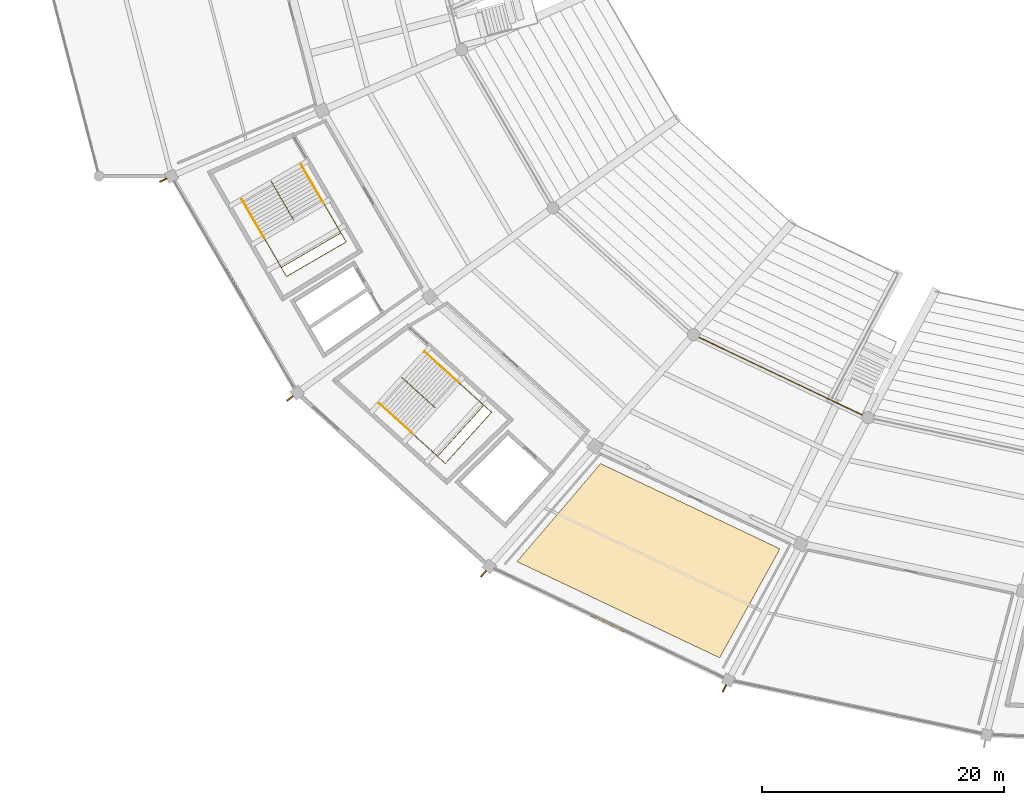
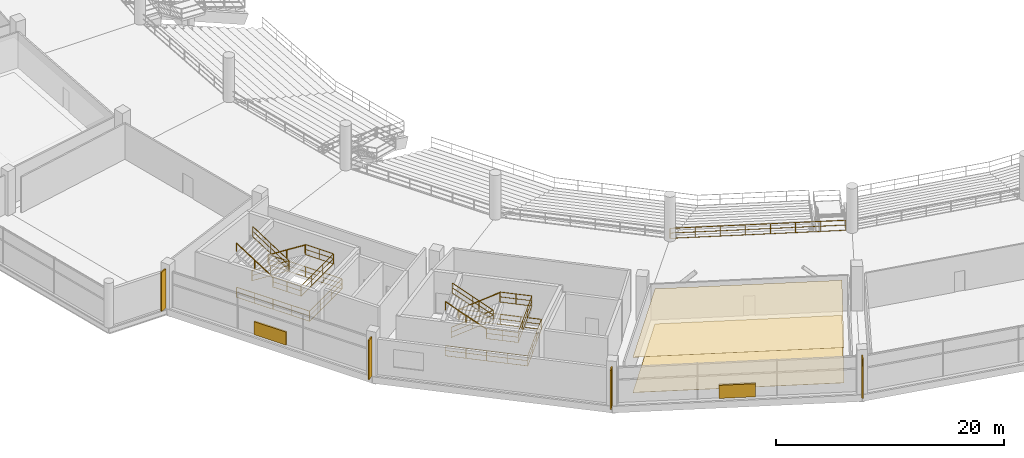
# One storey, part 142 of 156: 11 railings, 6 shading devices, 2 coverings.
"""IFC4 building model written with IfcOpenShell, lengths in metres."""

from ifc_helpers import new_model, si_unit, direction, frame, origin, origin_2d, place, context, subcontext, project, spatial, polyline, rectangle, outline, extrude, material, layer, layer_set, type_object, element, save


model = new_model("IFC4")

# Units and contexts
model_context = context("Model", 3, precision=1e-05, world=origin(), true_north=direction((0.0, 1.0)))
body_context = subcontext(model_context, "Body", "Model", "MODEL_VIEW")
ifc_project = project(units=[si_unit("LENGTHUNIT", "METRE"), si_unit("AREAUNIT", "SQUARE_METRE"), si_unit("VOLUMEUNIT", "CUBIC_METRE"), si_unit("PLANEANGLEUNIT", "RADIAN"), si_unit("MASSUNIT", "GRAM", prefix="KILO")], contexts=[model_context])

# Site, building, storey
site_placement = place(None, origin())
site = spatial("IfcSite", under=ifc_project, at=site_placement, CompositionType="ELEMENT")
building_placement = place(site_placement, origin())
building = spatial("IfcBuilding", under=site, at=building_placement, Name="Kazemori Nagisa Stadium", CompositionType="ELEMENT")
storey_placement = place(building_placement, frame((0.0, 0.0, 5.780029296875)))
storey = spatial("IfcBuildingStorey", under=building, at=storey_placement, Name="L01", CompositionType="ELEMENT", Elevation=5.780029296875)

# Coverings
ifc_material_1 = material(Name="Mineral-fibre acoustic board", Category="gypsum")
ifc_layer_1 = layer(ifc_material_1, 0.02001953125, Name="Mineral-fibre acoustic board", Category="gypsum")
ifc_layer_set_1 = layer_set([ifc_layer_1], Name="Mineral-fibre acoustic board")
covering_type_1 = type_object("IfcCoveringType", Name="Cov_CEIL", PredefinedType="CEILING", material=ifc_layer_set_1)
covering_1_placement = place(storey_placement, frame((0.0, 0.0, 3.77001953125)))
element("IfcCovering", 1, at=covering_1_placement, inside=storey, type_object=covering_type_1, Name="Acoustic ceiling L01-B19", PredefinedType="CEILING", context=body_context, shape_type="SweptSolid", body=[
    extrude(outline(polyline([(69.622802734375, 39.46240234375), (84.466064453125, 32.4091796875), (79.47265625, 23.39111328125), (62.705810546875, 31.3583984375), (69.622802734375, 39.46240234375)])), origin(), (0.0, 0.0, 1.0), 0.02001953125),
])
ifc_material_2 = material(Name="Porcelain stoneware tile", Category="masonry")
ifc_layer_2 = layer(ifc_material_2, 0.02490234375, Name="Porcelain stoneware tile", Category="masonry")
ifc_layer_set_2 = layer_set([ifc_layer_2], Name="Porcelain stoneware tile")
covering_type_2 = type_object("IfcCoveringType", Name="Cov_FLOOR", PredefinedType="FLOORING", material=ifc_layer_set_2)
covering_2_placement = place(storey_placement, origin())
element("IfcCovering", 2, at=covering_2_placement, inside=storey, type_object=covering_type_2, Name="Porcelain floor finish L01-B19", PredefinedType="FLOORING", context=body_context, shape_type="SweptSolid", body=[
    extrude(outline(polyline([(69.622802734375, 39.46240234375), (84.466064453125, 32.4091796875), (79.47265625, 23.39111328125), (62.705810546875, 31.3583984375), (69.622802734375, 39.46240234375)])), origin(), (0.0, 0.0, 1.0), 0.02490234375),
])

# Shading devices
ifc_material_3 = material(Name="Aluminium 6063-T5 anodised", Category="aluminium")
shading_device_type_1 = type_object("IfcShadingDeviceType", Name="Fin_FN01", PredefinedType="USERDEFINED", material=ifc_material_3)
for number, where, z_axis, x_axis, name in (
    (3, (33.434814453125, 62.9228515625, 0.0), (0.0, 0.0, 1.0), (-0.900968867905, -0.433883739113, 0.0), "Aerodynamic wave shading fin L01-17"),
    (4, (43.914306640625, 44.861572265625, 0.0), (0.0, 0.0, 1.0), (-0.781831482473, -0.623489801853, 0.0), "Aerodynamic wave shading fin L01-18"),
    (5, (59.931396484375, 30.350830078125, 0.0), (0.0, 0.0, 1.0), (-0.623489801853, -0.781831482473, 0.0), "Aerodynamic wave shading fin L01-19"),
    (6, (79.86767578125, 20.85546875, 0.0), (0.0, 0.0, 1.0), (-0.433883739113, -0.900968867905, 0.0), "Aerodynamic wave shading fin L01-20"),
):
    element("IfcShadingDevice", number, at=place(storey_placement, frame(where, z_axis=z_axis, x_axis=x_axis)), inside=storey, type_object=shading_device_type_1, Name=name, ObjectType="FIN", PredefinedType="USERDEFINED", context=body_context, shape_type="SweptSolid", body=[
        extrude(rectangle(XDim=0.64990234375, YDim=0.1201171875, at=origin_2d()), origin(), (0.0, 0.0, 1.0), 4.199951171875),
    ])
shading_device_type_2 = type_object("IfcShadingDeviceType", Name="Louvre_LV01", PredefinedType="JALOUSIE", material=ifc_material_3)
for number, where, z_axis, x_axis, name in (
    (7, (39.309814453125, 54.29150390625, -0.010009765625), (0.0, 0.0, 1.0), (0.501611590054, -0.865092950337, 0.0), "Concourse ventilation louvre L01-B17"),
    (8, (70.298583984375, 26.23828125, -0.010009765625), (0.0, 0.0, 1.0), (0.903215892654, -0.429186499388, 0.0), "Concourse ventilation louvre L01-B19"),
):
    element("IfcShadingDevice", number, at=place(storey_placement, frame(where, z_axis=z_axis, x_axis=x_axis)), inside=storey, type_object=shading_device_type_2, Name=name, PredefinedType="JALOUSIE", context=body_context, shape_type="SweptSolid", body=[
        extrude(rectangle(XDim=3.199951171875, YDim=0.179931640625, at=origin_2d()), origin(), (0.0, 0.0, 1.0), 1.39990234375),
    ])

# Railings
ifc_material_4 = material(Name="Laminated safety glass and stainless steel SUS304", Category="steel")
railing_type_1 = type_object("IfcRailingType", Name="Rail_BAL", PredefinedType="BALUSTRADE", material=ifc_material_4)
railing_1_placement = place(storey_placement, frame((77.303466796875, 50.126953125, 0.0)))
element("IfcRailing", 9, at=railing_1_placement, inside=storey, type_object=railing_type_1, Name="Concourse bowl balustrade L01-B19", PredefinedType="BALUSTRADE", context=body_context, shape_type="SweptSolid", body=[
    extrude(rectangle(XDim=0.050048828125, YDim=0.050048828125, at=origin_2d()), frame((0.0, 0.0, 1.09521484375), z_axis=(0.903214864825, -0.42918866243, 0.0), x_axis=(0.42918866243, 0.903214864825, 0.0)), (0.0, 0.0, 1.0), 15.447509765625),
    extrude(rectangle(XDim=0.03759765625, YDim=0.03759765625, at=origin_2d()), frame((0.0, 0.0, 0.58251953125), z_axis=(0.903214864825, -0.42918866243, 0.0), x_axis=(0.42918866243, 0.903214864825, 0.0)), (0.0, 0.0, 1.0), 15.447509765625),
    extrude(rectangle(XDim=0.03759765625, YDim=0.03759765625, at=origin_2d()), frame((0.0, 0.0, 0.02490234375), z_axis=(0.903214864825, -0.42918866243, 0.0), x_axis=(0.42918866243, 0.903214864825, 0.0)), (0.0, 0.0, 1.0), 15.447509765625),
    extrude(rectangle(XDim=0.044921875, YDim=0.044921875, at=origin_2d()), origin(), (0.0, 0.0, 1.0), 1.070068359375),
    extrude(rectangle(XDim=0.044921875, YDim=0.044921875, at=origin_2d()), frame((1.9931640625, -0.947021484375, 0.0)), (0.0, 0.0, 1.0), 1.070068359375),
    extrude(rectangle(XDim=0.044921875, YDim=0.044921875, at=origin_2d()), frame((3.986328125, -1.894287109375, 0.0)), (0.0, 0.0, 1.0), 1.070068359375),
    extrude(rectangle(XDim=0.044921875, YDim=0.044921875, at=origin_2d()), frame((5.9794921875, -2.84130859375, 0.0)), (0.0, 0.0, 1.0), 1.070068359375),
    extrude(rectangle(XDim=0.044921875, YDim=0.044921875, at=origin_2d()), frame((7.972900390625, -3.78857421875, 0.0)), (0.0, 0.0, 1.0), 1.070068359375),
    extrude(rectangle(XDim=0.044921875, YDim=0.044921875, at=origin_2d()), frame((9.966064453125, -4.735595703125, 0.0)), (0.0, 0.0, 1.0), 1.070068359375),
    extrude(rectangle(XDim=0.044921875, YDim=0.044921875, at=origin_2d()), frame((11.959228515625, -5.682861328125, 0.0)), (0.0, 0.0, 1.0), 1.070068359375),
    extrude(rectangle(XDim=0.044921875, YDim=0.044921875, at=origin_2d()), frame((13.952392578125, -6.6298828125, 0.0)), (0.0, 0.0, 1.0), 1.070068359375),
])
ifc_material_5 = material(Name="Galvanised powder-coated steel", Category="steel")
railing_type_2 = type_object("IfcRailingType", Name="Rail_GUARD", PredefinedType="GUARDRAIL", material=ifc_material_5)
railing_2_placement = place(storey_placement, frame((44.858642578125, 64.196044921875, 0.0)))
element("IfcRailing", 10, at=railing_2_placement, inside=storey, type_object=railing_type_2, Name="Stair well perimeter guard ST09-L01", PredefinedType="GUARDRAIL", context=body_context, shape_type="SweptSolid", body=[
    extrude(rectangle(XDim=0.050048828125, YDim=0.050048828125, at=origin_2d()), frame((0.0, 0.0, 1.09521484375), z_axis=(0.501604713547, -0.865096937544, 0.0), x_axis=(0.865096937544, 0.501604713547, 0.0)), (0.0, 0.0, 1.0), 7.380126953125),
    extrude(rectangle(XDim=0.03759765625, YDim=0.03759765625, at=origin_2d()), frame((0.0, 0.0, 0.58251953125), z_axis=(0.501604713547, -0.865096937544, 0.0), x_axis=(0.865096937544, 0.501604713547, 0.0)), (0.0, 0.0, 1.0), 7.380126953125),
    extrude(rectangle(XDim=0.03759765625, YDim=0.03759765625, at=origin_2d()), frame((0.0, 0.0, 0.02490234375), z_axis=(0.501604713547, -0.865096937544, 0.0), x_axis=(0.865096937544, 0.501604713547, 0.0)), (0.0, 0.0, 1.0), 7.380126953125),
    extrude(rectangle(XDim=0.050048828125, YDim=0.050048828125, at=origin_2d()), frame((3.701904296875, -6.384521484375, 1.09521484375), z_axis=(-0.865102561401, -0.501595014188, 0.0), x_axis=(0.501595014188, -0.865102561401, 0.0)), (0.0, 0.0, 1.0), 5.7001953125),
    extrude(rectangle(XDim=0.03759765625, YDim=0.03759765625, at=origin_2d()), frame((3.701904296875, -6.384521484375, 0.58251953125), z_axis=(-0.865102561401, -0.501595014188, 0.0), x_axis=(0.501595014188, -0.865102561401, 0.0)), (0.0, 0.0, 1.0), 5.7001953125),
    extrude(rectangle(XDim=0.03759765625, YDim=0.03759765625, at=origin_2d()), frame((3.701904296875, -6.384521484375, 0.02490234375), z_axis=(-0.865102561401, -0.501595014188, 0.0), x_axis=(0.501595014188, -0.865102561401, 0.0)), (0.0, 0.0, 1.0), 5.7001953125),
    extrude(rectangle(XDim=0.050048828125, YDim=0.050048828125, at=origin_2d()), frame((-1.229248046875, -9.24365234375, 1.09521484375), z_axis=(-0.501619068878, 0.865088613807, 0.0), x_axis=(-0.865088613807, -0.501619068878, 0.0)), (0.0, 0.0, 1.0), 7.3798828125),
    extrude(rectangle(XDim=0.03759765625, YDim=0.03759765625, at=origin_2d()), frame((-1.229248046875, -9.24365234375, 0.58251953125), z_axis=(-0.501619068878, 0.865088613807, 0.0), x_axis=(-0.865088613807, -0.501619068878, 0.0)), (0.0, 0.0, 1.0), 7.3798828125),
    extrude(rectangle(XDim=0.03759765625, YDim=0.03759765625, at=origin_2d()), frame((-1.229248046875, -9.24365234375, 0.02490234375), z_axis=(-0.501619068878, 0.865088613807, 0.0), x_axis=(-0.865088613807, -0.501619068878, 0.0)), (0.0, 0.0, 1.0), 7.3798828125),
    extrude(rectangle(XDim=0.044921875, YDim=0.044921875, at=origin_2d()), origin(), (0.0, 0.0, 1.0), 1.070068359375),
    extrude(rectangle(XDim=0.044921875, YDim=0.044921875, at=origin_2d()), frame((0.925537109375, -1.59619140625, 0.0)), (0.0, 0.0, 1.0), 1.070068359375),
    extrude(rectangle(XDim=0.044921875, YDim=0.044921875, at=origin_2d()), frame((1.85107421875, -3.1923828125, 0.0)), (0.0, 0.0, 1.0), 1.070068359375),
    extrude(rectangle(XDim=0.044921875, YDim=0.044921875, at=origin_2d()), frame((2.7763671875, -4.788330078125, 0.0)), (0.0, 0.0, 1.0), 1.070068359375),
    extrude(rectangle(XDim=0.044921875, YDim=0.044921875, at=origin_2d()), frame((3.701904296875, -6.384521484375, 0.0)), (0.0, 0.0, 1.0), 1.070068359375),
    extrude(rectangle(XDim=0.044921875, YDim=0.044921875, at=origin_2d()), frame((2.05810546875, -7.337646484375, 0.0)), (0.0, 0.0, 1.0), 1.070068359375),
    extrude(rectangle(XDim=0.044921875, YDim=0.044921875, at=origin_2d()), frame((0.41455078125, -8.29052734375, 0.0)), (0.0, 0.0, 1.0), 1.070068359375),
    extrude(rectangle(XDim=0.044921875, YDim=0.044921875, at=origin_2d()), frame((-1.229248046875, -9.24365234375, 0.0)), (0.0, 0.0, 1.0), 1.070068359375),
    extrude(rectangle(XDim=0.044921875, YDim=0.044921875, at=origin_2d()), frame((-2.15478515625, -7.6474609375, 0.0)), (0.0, 0.0, 1.0), 1.070068359375),
    extrude(rectangle(XDim=0.044921875, YDim=0.044921875, at=origin_2d()), frame((-3.080078125, -6.051513671875, 0.0)), (0.0, 0.0, 1.0), 1.070068359375),
    extrude(rectangle(XDim=0.044921875, YDim=0.044921875, at=origin_2d()), frame((-4.005615234375, -4.45556640625, 0.0)), (0.0, 0.0, 1.0), 1.070068359375),
    extrude(rectangle(XDim=0.044921875, YDim=0.044921875, at=origin_2d()), frame((-4.93115234375, -2.859375, 0.0)), (0.0, 0.0, 1.0), 1.070068359375),
])
railing_3_placement = place(storey_placement, frame((42.35302734375, 62.835693359375, 0.0)))
element("IfcRailing", 11, at=railing_3_placement, inside=storey, type_object=railing_type_2, Name="Stair central guard ST09-L01", PredefinedType="GUARDRAIL", context=body_context, shape_type="SweptSolid", body=[
    extrude(rectangle(XDim=0.050048828125, YDim=0.050048828125, at=origin_2d()), frame((0.0, 0.0, 1.09521484375), z_axis=(0.423674533128, -0.730708144887, 0.535318126887), x_axis=(0.865101159018, 0.501597432874, 0.0)), (0.0, 0.0, 1.0), 4.44580078125),
    extrude(rectangle(XDim=0.03759765625, YDim=0.03759765625, at=origin_2d()), frame((0.0, 0.0, 0.58251953125), z_axis=(0.423674533128, -0.730708144887, 0.535318126887), x_axis=(0.865101159018, 0.501597432874, 0.0)), (0.0, 0.0, 1.0), 4.44580078125),
    extrude(rectangle(XDim=0.03759765625, YDim=0.03759765625, at=origin_2d()), frame((0.0, 0.0, 0.02490234375), z_axis=(0.423674533128, -0.730708144887, 0.535318126887), x_axis=(0.865101159018, 0.501597432874, 0.0)), (0.0, 0.0, 1.0), 4.44580078125),
    extrude(rectangle(XDim=0.050048828125, YDim=0.050048828125, at=origin_2d()), frame((1.883544921875, -3.24853515625, 3.47509765625), z_axis=(-0.421040731379, 0.726101497022, 0.543600329785), x_axis=(-0.865081928726, -0.501630597743, 0.0)), (0.0, 0.0, 1.0), 4.37841796875),
    extrude(rectangle(XDim=0.03759765625, YDim=0.03759765625, at=origin_2d()), frame((1.883544921875, -3.24853515625, 2.96240234375), z_axis=(-0.421040731379, 0.726101497022, 0.543600329785), x_axis=(-0.865081928726, -0.501630597743, 0.0)), (0.0, 0.0, 1.0), 4.37841796875),
    extrude(rectangle(XDim=0.03759765625, YDim=0.03759765625, at=origin_2d()), frame((1.883544921875, -3.24853515625, 2.40478515625), z_axis=(-0.421040731379, 0.726101497022, 0.543600329785), x_axis=(-0.865081928726, -0.501630597743, 0.0)), (0.0, 0.0, 1.0), 4.37841796875),
    extrude(rectangle(XDim=0.044921875, YDim=0.044921875, at=origin_2d()), origin(), (0.0, 0.0, 1.0), 1.070068359375),
    extrude(rectangle(XDim=0.044921875, YDim=0.044921875, at=origin_2d()), frame((0.94189453125, -1.624267578125, 1.18994140625)), (0.0, 0.0, 1.0), 1.070068359375),
    extrude(rectangle(XDim=0.044921875, YDim=0.044921875, at=origin_2d()), frame((1.883544921875, -3.24853515625, 2.3798828125)), (0.0, 0.0, 1.0), 1.070068359375),
    extrude(rectangle(XDim=0.044921875, YDim=0.044921875, at=origin_2d()), frame((0.9619140625, -1.658935546875, 3.56982421875)), (0.0, 0.0, 1.0), 1.070068359375),
    extrude(rectangle(XDim=0.044921875, YDim=0.044921875, at=origin_2d()), frame((0.0400390625, -0.0693359375, 4.760009765625)), (0.0, 0.0, 1.0), 1.070068359375),
])
railing_4_placement = place(storey_placement, frame((46.701904296875, 61.016845703125, 2.3798828125)))
element("IfcRailing", 12, at=railing_4_placement, inside=storey, type_object=railing_type_2, Name="Stair landing guard ST09-L01", PredefinedType="GUARDRAIL", context=body_context, shape_type="SweptSolid", body=[
    extrude(rectangle(XDim=0.050048828125, YDim=0.050048828125, at=origin_2d()), frame((0.0, 0.0, 1.09521484375), z_axis=(0.501627068055, -0.865083975458, 0.0), x_axis=(0.865083975458, 0.501627068055, 0.0)), (0.0, 0.0, 1.0), 2.85009765625),
    extrude(rectangle(XDim=0.03759765625, YDim=0.03759765625, at=origin_2d()), frame((0.0, 0.0, 0.58251953125), z_axis=(0.501627068055, -0.865083975458, 0.0), x_axis=(0.865083975458, 0.501627068055, 0.0)), (0.0, 0.0, 1.0), 2.85009765625),
    extrude(rectangle(XDim=0.03759765625, YDim=0.03759765625, at=origin_2d()), frame((0.0, 0.0, 0.02490234375), z_axis=(0.501627068055, -0.865083975458, 0.0), x_axis=(0.865083975458, 0.501627068055, 0.0)), (0.0, 0.0, 1.0), 2.85009765625),
    extrude(rectangle(XDim=0.050048828125, YDim=0.050048828125, at=origin_2d()), frame((1.4296875, -2.465576171875, 1.09521484375), z_axis=(-0.865091784601, -0.501613600508, 0.0), x_axis=(0.501613600508, -0.865091784601, 0.0)), (0.0, 0.0, 1.0), 5.699951171875),
    extrude(rectangle(XDim=0.03759765625, YDim=0.03759765625, at=origin_2d()), frame((1.4296875, -2.465576171875, 0.58251953125), z_axis=(-0.865091784601, -0.501613600508, 0.0), x_axis=(0.501613600508, -0.865091784601, 0.0)), (0.0, 0.0, 1.0), 5.699951171875),
    extrude(rectangle(XDim=0.03759765625, YDim=0.03759765625, at=origin_2d()), frame((1.4296875, -2.465576171875, 0.02490234375), z_axis=(-0.865091784601, -0.501613600508, 0.0), x_axis=(0.501613600508, -0.865091784601, 0.0)), (0.0, 0.0, 1.0), 5.699951171875),
    extrude(rectangle(XDim=0.050048828125, YDim=0.050048828125, at=origin_2d()), frame((-3.501220703125, -5.32470703125, 1.09521484375), z_axis=(-0.50166424262, 0.86506241837, 0.0), x_axis=(-0.86506241837, -0.50166424262, 0.0)), (0.0, 0.0, 1.0), 2.849853515625),
    extrude(rectangle(XDim=0.03759765625, YDim=0.03759765625, at=origin_2d()), frame((-3.501220703125, -5.32470703125, 0.58251953125), z_axis=(-0.50166424262, 0.86506241837, 0.0), x_axis=(-0.86506241837, -0.50166424262, 0.0)), (0.0, 0.0, 1.0), 2.849853515625),
    extrude(rectangle(XDim=0.03759765625, YDim=0.03759765625, at=origin_2d()), frame((-3.501220703125, -5.32470703125, 0.02490234375), z_axis=(-0.50166424262, 0.86506241837, 0.0), x_axis=(-0.86506241837, -0.50166424262, 0.0)), (0.0, 0.0, 1.0), 2.849853515625),
    extrude(rectangle(XDim=0.044921875, YDim=0.044921875, at=origin_2d()), origin(), (0.0, 0.0, 1.0), 1.070068359375),
    extrude(rectangle(XDim=0.044921875, YDim=0.044921875, at=origin_2d()), frame((0.71484375, -1.23291015625, 0.0)), (0.0, 0.0, 1.0), 1.070068359375),
    extrude(rectangle(XDim=0.044921875, YDim=0.044921875, at=origin_2d()), frame((1.4296875, -2.465576171875, 0.0)), (0.0, 0.0, 1.0), 1.070068359375),
    extrude(rectangle(XDim=0.044921875, YDim=0.044921875, at=origin_2d()), frame((-0.2138671875, -3.418701171875, 0.0)), (0.0, 0.0, 1.0), 1.070068359375),
    extrude(rectangle(XDim=0.044921875, YDim=0.044921875, at=origin_2d()), frame((-1.857666015625, -4.37158203125, 0.0)), (0.0, 0.0, 1.0), 1.070068359375),
    extrude(rectangle(XDim=0.044921875, YDim=0.044921875, at=origin_2d()), frame((-3.501220703125, -5.32470703125, 0.0)), (0.0, 0.0, 1.0), 1.070068359375),
    extrude(rectangle(XDim=0.044921875, YDim=0.044921875, at=origin_2d()), frame((-4.216064453125, -4.092041015625, 0.0)), (0.0, 0.0, 1.0), 1.070068359375),
    extrude(rectangle(XDim=0.044921875, YDim=0.044921875, at=origin_2d()), frame((-4.930908203125, -2.859375, 0.0)), (0.0, 0.0, 1.0), 1.070068359375),
])
railing_5_placement = place(storey_placement, frame((55.12353515625, 48.665771484375, 0.0)))
element("IfcRailing", 13, at=railing_5_placement, inside=storey, type_object=railing_type_2, Name="Stair well perimeter guard ST03-L01", PredefinedType="GUARDRAIL", context=body_context, shape_type="SweptSolid", body=[
    extrude(rectangle(XDim=0.050048828125, YDim=0.050048828125, at=origin_2d()), frame((0.0, 0.0, 1.09521484375), z_axis=(0.741350009176, -0.671118591528, 0.0), x_axis=(0.671118591528, 0.741350009176, 0.0)), (0.0, 0.0, 1.0), 7.380126953125),
    extrude(rectangle(XDim=0.03759765625, YDim=0.03759765625, at=origin_2d()), frame((0.0, 0.0, 0.58251953125), z_axis=(0.741350009176, -0.671118591528, 0.0), x_axis=(0.671118591528, 0.741350009176, 0.0)), (0.0, 0.0, 1.0), 7.380126953125),
    extrude(rectangle(XDim=0.03759765625, YDim=0.03759765625, at=origin_2d()), frame((0.0, 0.0, 0.02490234375), z_axis=(0.741350009176, -0.671118591528, 0.0), x_axis=(0.671118591528, 0.741350009176, 0.0)), (0.0, 0.0, 1.0), 7.380126953125),
    extrude(rectangle(XDim=0.050048828125, YDim=0.050048828125, at=origin_2d()), frame((5.47119140625, -4.952880859375, 1.09521484375), z_axis=(-0.67113423669, -0.74133584585, 0.0), x_axis=(0.74133584585, -0.67113423669, 0.0)), (0.0, 0.0, 1.0), 5.699951171875),
    extrude(rectangle(XDim=0.03759765625, YDim=0.03759765625, at=origin_2d()), frame((5.47119140625, -4.952880859375, 0.58251953125), z_axis=(-0.67113423669, -0.74133584585, 0.0), x_axis=(0.74133584585, -0.67113423669, 0.0)), (0.0, 0.0, 1.0), 5.699951171875),
    extrude(rectangle(XDim=0.03759765625, YDim=0.03759765625, at=origin_2d()), frame((5.47119140625, -4.952880859375, 0.02490234375), z_axis=(-0.67113423669, -0.74133584585, 0.0), x_axis=(0.74133584585, -0.67113423669, 0.0)), (0.0, 0.0, 1.0), 5.699951171875),
    extrude(rectangle(XDim=0.050048828125, YDim=0.050048828125, at=origin_2d()), frame((1.645751953125, -9.178466796875, 1.09521484375), z_axis=(-0.741351568484, 0.671116869037, 0.0), x_axis=(-0.671116869037, -0.741351568484, 0.0)), (0.0, 0.0, 1.0), 7.379638671875),
    extrude(rectangle(XDim=0.03759765625, YDim=0.03759765625, at=origin_2d()), frame((1.645751953125, -9.178466796875, 0.58251953125), z_axis=(-0.741351568484, 0.671116869037, 0.0), x_axis=(-0.671116869037, -0.741351568484, 0.0)), (0.0, 0.0, 1.0), 7.379638671875),
    extrude(rectangle(XDim=0.03759765625, YDim=0.03759765625, at=origin_2d()), frame((1.645751953125, -9.178466796875, 0.02490234375), z_axis=(-0.741351568484, 0.671116869037, 0.0), x_axis=(-0.671116869037, -0.741351568484, 0.0)), (0.0, 0.0, 1.0), 7.379638671875),
    extrude(rectangle(XDim=0.044921875, YDim=0.044921875, at=origin_2d()), origin(), (0.0, 0.0, 1.0), 1.070068359375),
    extrude(rectangle(XDim=0.044921875, YDim=0.044921875, at=origin_2d()), frame((1.36767578125, -1.23828125, 0.0)), (0.0, 0.0, 1.0), 1.070068359375),
    extrude(rectangle(XDim=0.044921875, YDim=0.044921875, at=origin_2d()), frame((2.735595703125, -2.4765625, 0.0)), (0.0, 0.0, 1.0), 1.070068359375),
    extrude(rectangle(XDim=0.044921875, YDim=0.044921875, at=origin_2d()), frame((4.103515625, -3.714599609375, 0.0)), (0.0, 0.0, 1.0), 1.070068359375),
    extrude(rectangle(XDim=0.044921875, YDim=0.044921875, at=origin_2d()), frame((5.47119140625, -4.952880859375, 0.0)), (0.0, 0.0, 1.0), 1.070068359375),
    extrude(rectangle(XDim=0.044921875, YDim=0.044921875, at=origin_2d()), frame((4.196044921875, -6.361328125, 0.0)), (0.0, 0.0, 1.0), 1.070068359375),
    extrude(rectangle(XDim=0.044921875, YDim=0.044921875, at=origin_2d()), frame((2.9208984375, -7.77001953125, 0.0)), (0.0, 0.0, 1.0), 1.070068359375),
    extrude(rectangle(XDim=0.044921875, YDim=0.044921875, at=origin_2d()), frame((1.645751953125, -9.178466796875, 0.0)), (0.0, 0.0, 1.0), 1.070068359375),
    extrude(rectangle(XDim=0.044921875, YDim=0.044921875, at=origin_2d()), frame((0.278076171875, -7.9404296875, 0.0)), (0.0, 0.0, 1.0), 1.070068359375),
    extrude(rectangle(XDim=0.044921875, YDim=0.044921875, at=origin_2d()), frame((-1.08984375, -6.7021484375, 0.0)), (0.0, 0.0, 1.0), 1.070068359375),
    extrude(rectangle(XDim=0.044921875, YDim=0.044921875, at=origin_2d()), frame((-2.45751953125, -5.4638671875, 0.0)), (0.0, 0.0, 1.0), 1.070068359375),
    extrude(rectangle(XDim=0.044921875, YDim=0.044921875, at=origin_2d()), frame((-3.8251953125, -4.225830078125, 0.0)), (0.0, 0.0, 1.0), 1.070068359375),
])
railing_6_placement = place(storey_placement, frame((53.151611328125, 46.606689453125, 0.0)))
element("IfcRailing", 14, at=railing_6_placement, inside=storey, type_object=railing_type_2, Name="Stair central guard ST03-L01", PredefinedType="GUARDRAIL", context=body_context, shape_type="SweptSolid", body=[
    extrude(rectangle(XDim=0.050048828125, YDim=0.050048828125, at=origin_2d()), frame((0.0, 0.0, 1.09521484375), z_axis=(0.626149551056, -0.56689544076, 0.535318875959), x_axis=(0.671160136809, 0.741312397548, 0.0)), (0.0, 0.0, 1.0), 4.44580078125),
    extrude(rectangle(XDim=0.03759765625, YDim=0.03759765625, at=origin_2d()), frame((0.0, 0.0, 0.58251953125), z_axis=(0.626149551056, -0.56689544076, 0.535318875959), x_axis=(0.671160136809, 0.741312397548, 0.0)), (0.0, 0.0, 1.0), 4.44580078125),
    extrude(rectangle(XDim=0.03759765625, YDim=0.03759765625, at=origin_2d()), frame((0.0, 0.0, 0.02490234375), z_axis=(0.626149551056, -0.56689544076, 0.535318875959), x_axis=(0.671160136809, 0.741312397548, 0.0)), (0.0, 0.0, 1.0), 4.44580078125),
    extrude(rectangle(XDim=0.050048828125, YDim=0.050048828125, at=origin_2d()), frame((2.78369140625, -2.520263671875, 3.47509765625), z_axis=(-0.622217683766, 0.563335895607, 0.54359711435), x_axis=(-0.671160293698, -0.741312255506, 0.0)), (0.0, 0.0, 1.0), 4.37841796875),
    extrude(rectangle(XDim=0.03759765625, YDim=0.03759765625, at=origin_2d()), frame((2.78369140625, -2.520263671875, 2.96240234375), z_axis=(-0.622217683766, 0.563335895607, 0.54359711435), x_axis=(-0.671160293698, -0.741312255506, 0.0)), (0.0, 0.0, 1.0), 4.37841796875),
    extrude(rectangle(XDim=0.03759765625, YDim=0.03759765625, at=origin_2d()), frame((2.78369140625, -2.520263671875, 2.40478515625), z_axis=(-0.622217683766, 0.563335895607, 0.54359711435), x_axis=(-0.671160293698, -0.741312255506, 0.0)), (0.0, 0.0, 1.0), 4.37841796875),
    extrude(rectangle(XDim=0.044921875, YDim=0.044921875, at=origin_2d()), origin(), (0.0, 0.0, 1.0), 1.070068359375),
    extrude(rectangle(XDim=0.044921875, YDim=0.044921875, at=origin_2d()), frame((1.391845703125, -1.26025390625, 1.18994140625)), (0.0, 0.0, 1.0), 1.070068359375),
    extrude(rectangle(XDim=0.044921875, YDim=0.044921875, at=origin_2d()), frame((2.78369140625, -2.520263671875, 2.3798828125)), (0.0, 0.0, 1.0), 1.070068359375),
    extrude(rectangle(XDim=0.044921875, YDim=0.044921875, at=origin_2d()), frame((1.42138671875, -1.287109375, 3.56982421875)), (0.0, 0.0, 1.0), 1.070068359375),
    extrude(rectangle(XDim=0.044921875, YDim=0.044921875, at=origin_2d()), frame((0.059326171875, -0.0537109375, 4.760009765625)), (0.0, 0.0, 1.0), 1.070068359375),
])
railing_7_placement = place(storey_placement, frame((57.84814453125, 46.199462890625, 2.3798828125)))
element("IfcRailing", 15, at=railing_7_placement, inside=storey, type_object=railing_type_2, Name="Stair landing guard ST03-L01", PredefinedType="GUARDRAIL", context=body_context, shape_type="SweptSolid", body=[
    extrude(rectangle(XDim=0.050048828125, YDim=0.050048828125, at=origin_2d()), frame((0.0, 0.0, 1.09521484375), z_axis=(0.741314535645, -0.671157775223, 0.0), x_axis=(0.671157775223, 0.741314535645, 0.0)), (0.0, 0.0, 1.0), 2.85009765625),
    extrude(rectangle(XDim=0.03759765625, YDim=0.03759765625, at=origin_2d()), frame((0.0, 0.0, 0.58251953125), z_axis=(0.741314535645, -0.671157775223, 0.0), x_axis=(0.671157775223, 0.741314535645, 0.0)), (0.0, 0.0, 1.0), 2.85009765625),
    extrude(rectangle(XDim=0.03759765625, YDim=0.03759765625, at=origin_2d()), frame((0.0, 0.0, 0.02490234375), z_axis=(0.741314535645, -0.671157775223, 0.0), x_axis=(0.671157775223, 0.741314535645, 0.0)), (0.0, 0.0, 1.0), 2.85009765625),
    extrude(rectangle(XDim=0.050048828125, YDim=0.050048828125, at=origin_2d()), frame((2.11279296875, -1.912841796875, 1.09521484375), z_axis=(-0.67113423669, -0.74133584585, 0.0), x_axis=(0.74133584585, -0.67113423669, 0.0)), (0.0, 0.0, 1.0), 5.699951171875),
    extrude(rectangle(XDim=0.03759765625, YDim=0.03759765625, at=origin_2d()), frame((2.11279296875, -1.912841796875, 0.58251953125), z_axis=(-0.67113423669, -0.74133584585, 0.0), x_axis=(0.74133584585, -0.67113423669, 0.0)), (0.0, 0.0, 1.0), 5.699951171875),
    extrude(rectangle(XDim=0.03759765625, YDim=0.03759765625, at=origin_2d()), frame((2.11279296875, -1.912841796875, 0.02490234375), z_axis=(-0.67113423669, -0.74133584585, 0.0), x_axis=(0.74133584585, -0.67113423669, 0.0)), (0.0, 0.0, 1.0), 5.699951171875),
    extrude(rectangle(XDim=0.050048828125, YDim=0.050048828125, at=origin_2d()), frame((-1.712646484375, -6.138427734375, 1.09521484375), z_axis=(-0.741357156534, 0.671110696127, 0.0), x_axis=(-0.671110696127, -0.741357156534, 0.0)), (0.0, 0.0, 1.0), 2.849853515625),
    extrude(rectangle(XDim=0.03759765625, YDim=0.03759765625, at=origin_2d()), frame((-1.712646484375, -6.138427734375, 0.58251953125), z_axis=(-0.741357156534, 0.671110696127, 0.0), x_axis=(-0.671110696127, -0.741357156534, 0.0)), (0.0, 0.0, 1.0), 2.849853515625),
    extrude(rectangle(XDim=0.03759765625, YDim=0.03759765625, at=origin_2d()), frame((-1.712646484375, -6.138427734375, 0.02490234375), z_axis=(-0.741357156534, 0.671110696127, 0.0), x_axis=(-0.671110696127, -0.741357156534, 0.0)), (0.0, 0.0, 1.0), 2.849853515625),
    extrude(rectangle(XDim=0.044921875, YDim=0.044921875, at=origin_2d()), origin(), (0.0, 0.0, 1.0), 1.070068359375),
    extrude(rectangle(XDim=0.044921875, YDim=0.044921875, at=origin_2d()), frame((1.056396484375, -0.95654296875, 0.0)), (0.0, 0.0, 1.0), 1.070068359375),
    extrude(rectangle(XDim=0.044921875, YDim=0.044921875, at=origin_2d()), frame((2.11279296875, -1.912841796875, 0.0)), (0.0, 0.0, 1.0), 1.070068359375),
    extrude(rectangle(XDim=0.044921875, YDim=0.044921875, at=origin_2d()), frame((0.837646484375, -3.3212890625, 0.0)), (0.0, 0.0, 1.0), 1.070068359375),
    extrude(rectangle(XDim=0.044921875, YDim=0.044921875, at=origin_2d()), frame((-0.4375, -4.72998046875, 0.0)), (0.0, 0.0, 1.0), 1.070068359375),
    extrude(rectangle(XDim=0.044921875, YDim=0.044921875, at=origin_2d()), frame((-1.712646484375, -6.138427734375, 0.0)), (0.0, 0.0, 1.0), 1.070068359375),
    extrude(rectangle(XDim=0.044921875, YDim=0.044921875, at=origin_2d()), frame((-2.76904296875, -5.18212890625, 0.0)), (0.0, 0.0, 1.0), 1.070068359375),
    extrude(rectangle(XDim=0.044921875, YDim=0.044921875, at=origin_2d()), frame((-3.825439453125, -4.225830078125, 0.0)), (0.0, 0.0, 1.0), 1.070068359375),
])
ifc_material_6 = material(Name="Stainless steel SUS304", Category="steel")
railing_type_3 = type_object("IfcRailingType", Name="Rail_HAND", PredefinedType="HANDRAIL", material=ifc_material_6)
railing_8_placement = place(storey_placement, frame((44.818359375, 64.26513671875, 0.169921875)))
element("IfcRailing", 16, at=railing_8_placement, inside=storey, type_object=railing_type_3, Name="Stair handrail ST09-L01-F1", PredefinedType="HANDRAIL", context=body_context, shape_type="SweptSolid", body=[
    extrude(rectangle(XDim=0.050048828125, YDim=0.050048828125, at=origin_2d()), frame((0.0, 0.0, 0.875), z_axis=(0.423679077942, -0.730661067014, 0.535378785594), x_axis=(0.865084799646, 0.501625646694, 0.0)), (0.0, 0.0, 1.0), 4.44580078125),
    extrude(rectangle(XDim=0.044921875, YDim=0.044921875, at=origin_2d()), origin(), (0.0, 0.0, 1.0), 0.849853515625),
    extrude(rectangle(XDim=0.044921875, YDim=0.044921875, at=origin_2d()), frame((0.94189453125, -1.6240234375, 1.18994140625)), (0.0, 0.0, 1.0), 0.849853515625),
    extrude(rectangle(XDim=0.044921875, YDim=0.044921875, at=origin_2d()), frame((1.883544921875, -3.248291015625, 2.380126953125)), (0.0, 0.0, 1.0), 0.849853515625),
])
railing_9_placement = place(storey_placement, frame((41.77099609375, 58.157470703125, 2.550048828125)))
element("IfcRailing", 17, at=railing_9_placement, inside=storey, type_object=railing_type_3, Name="Stair handrail ST09-L01-F2", PredefinedType="HANDRAIL", context=body_context, shape_type="SweptSolid", body=[
    extrude(rectangle(XDim=0.050048828125, YDim=0.050048828125, at=origin_2d()), frame((0.0, 0.0, 0.875), z_axis=(-0.421053493443, 0.72612350571, 0.543561045435), x_axis=(-0.865081928726, -0.501630597743, 0.0)), (0.0, 0.0, 1.0), 4.37841796875),
    extrude(rectangle(XDim=0.044921875, YDim=0.044921875, at=origin_2d()), origin(), (0.0, 0.0, 1.0), 0.849853515625),
    extrude(rectangle(XDim=0.044921875, YDim=0.044921875, at=origin_2d()), frame((-0.921875, 1.589599609375, 1.18994140625)), (0.0, 0.0, 1.0), 0.849853515625),
    extrude(rectangle(XDim=0.044921875, YDim=0.044921875, at=origin_2d()), frame((-1.843505859375, 3.17919921875, 2.3798828125)), (0.0, 0.0, 1.0), 0.849853515625),
])
railing_10_placement = place(storey_placement, frame((55.064208984375, 48.719482421875, 0.169921875)))
element("IfcRailing", 18, at=railing_10_placement, inside=storey, type_object=railing_type_3, Name="Stair handrail ST03-L01-F1", PredefinedType="HANDRAIL", context=body_context, shape_type="SweptSolid", body=[
    extrude(rectangle(XDim=0.050048828125, YDim=0.050048828125, at=origin_2d()), frame((0.0, 0.0, 0.875), z_axis=(0.626184018518, -0.566822015184, 0.535356309439), x_axis=(0.671092057118, 0.741374028998, 0.0)), (0.0, 0.0, 1.0), 4.44580078125),
    extrude(rectangle(XDim=0.044921875, YDim=0.044921875, at=origin_2d()), origin(), (0.0, 0.0, 1.0), 0.849853515625),
    extrude(rectangle(XDim=0.044921875, YDim=0.044921875, at=origin_2d()), frame((1.39208984375, -1.260009765625, 1.18994140625)), (0.0, 0.0, 1.0), 0.849853515625),
    extrude(rectangle(XDim=0.044921875, YDim=0.044921875, at=origin_2d()), frame((2.783935546875, -2.52001953125, 2.380126953125)), (0.0, 0.0, 1.0), 0.849853515625),
])
railing_11_placement = place(storey_placement, frame((54.022705078125, 41.9736328125, 2.550048828125)))
element("IfcRailing", 19, at=railing_11_placement, inside=storey, type_object=railing_type_3, Name="Stair handrail ST03-L01-F2", PredefinedType="HANDRAIL", context=body_context, shape_type="SweptSolid", body=[
    extrude(rectangle(XDim=0.050048828125, YDim=0.050048828125, at=origin_2d()), frame((0.0, 0.0, 0.875), z_axis=(-0.622256089767, 0.563314904456, 0.543574904834), x_axis=(-0.671123784078, -0.741345308506, 0.0)), (0.0, 0.0, 1.0), 4.378173828125),
    extrude(rectangle(XDim=0.044921875, YDim=0.044921875, at=origin_2d()), origin(), (0.0, 0.0, 1.0), 0.849853515625),
    extrude(rectangle(XDim=0.044921875, YDim=0.044921875, at=origin_2d()), frame((-1.3623046875, 1.233154296875, 1.18994140625)), (0.0, 0.0, 1.0), 0.849853515625),
    extrude(rectangle(XDim=0.044921875, YDim=0.044921875, at=origin_2d()), frame((-2.724365234375, 2.46630859375, 2.3798828125)), (0.0, 0.0, 1.0), 0.849853515625),
])

save(model, "model.ifc")
